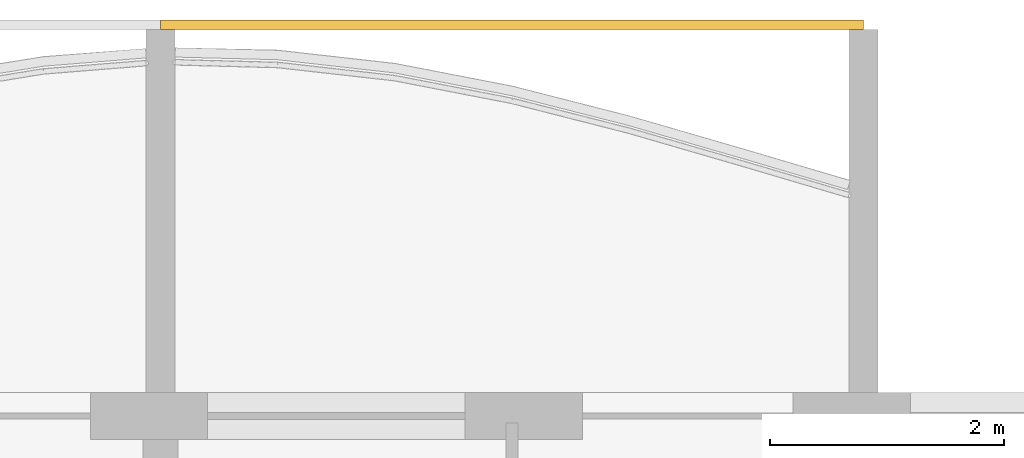
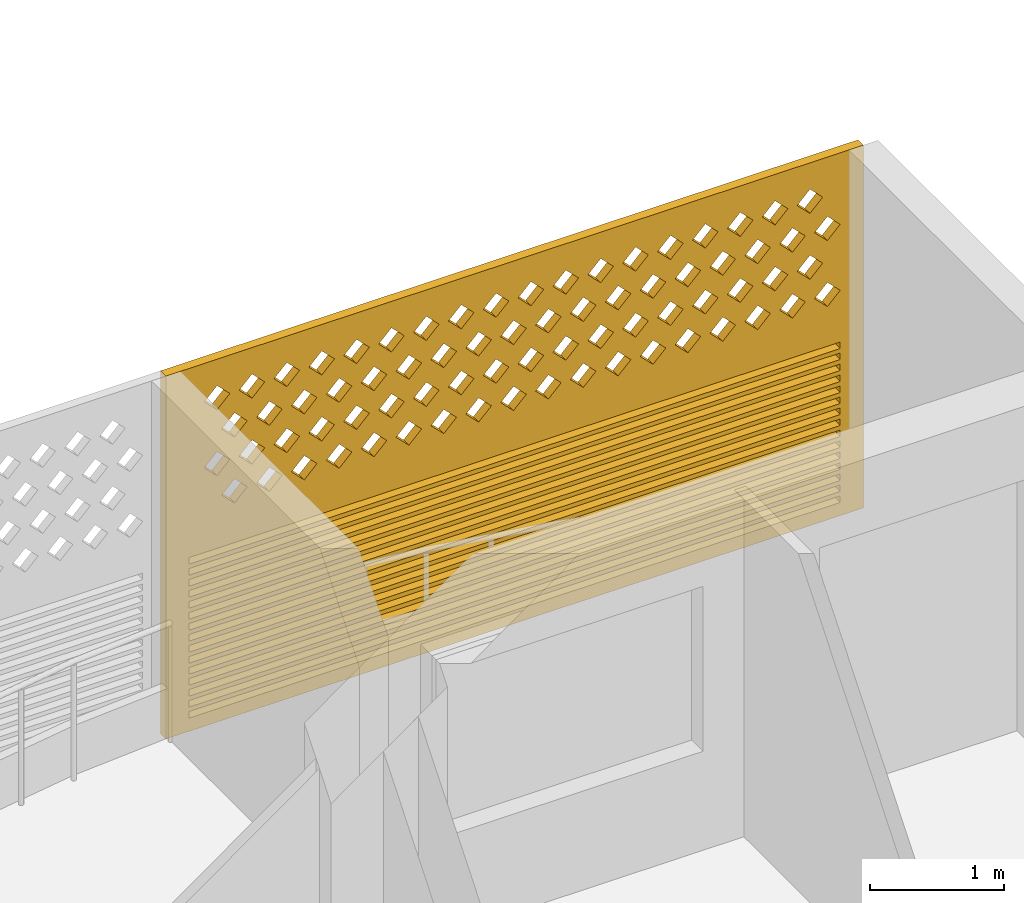
# One storey, part 24 of 32: 1 covering.
"""IFC4 building model written with IfcOpenShell, lengths in metres."""

from ifc_helpers import new_model, si_unit, direction, frame, origin, place, context, subcontext, project, spatial, polyline, outline, extrude, source, transform, mapped, material, material_profile, profile_set, type_object, element, save


model = new_model("IFC4")

# Units and contexts
model_context = context("Model", 3, precision=1e-05, world=origin(), true_north=direction((0.0, 1.0)))
body_context = subcontext(model_context, "Body", "Model", "MODEL_VIEW")
ifc_project = project(units=[si_unit("LENGTHUNIT", "METRE"), si_unit("AREAUNIT", "SQUARE_METRE"), si_unit("VOLUMEUNIT", "CUBIC_METRE"), si_unit("PLANEANGLEUNIT", "RADIAN"), si_unit("MASSUNIT", "GRAM", prefix="KILO")], contexts=[model_context])

# Site, building, storey
site_placement = place(None, origin())
site = spatial("IfcSite", under=ifc_project, at=site_placement, CompositionType="ELEMENT")
building_placement = place(site_placement, origin())
building = spatial("IfcBuilding", under=site, at=building_placement, Name="Poui Terraces", CompositionType="ELEMENT")
storey_placement = place(building_placement, frame((0.0, 0.0, 129.0)))
storey = spatial("IfcBuildingStorey", under=building, at=storey_placement, Name="L35", CompositionType="ELEMENT", Elevation=129.0)

# Covering
ifc_material = material(Name="Terracotta screen", Category="masonry")
ifc_material_profile = material_profile(ifc_material, outline(polyline([(-3.0, -1.64990234375), (3.0, -1.64990234375), (3.0, 1.64990234375), (-3.0, 1.64990234375), (-3.0, -1.64990234375)]), holes=[polyline([(-2.800048828125, 0.39990234375), (-2.68994140625, 0.2900390625), (-2.580078125, 0.39990234375), (-2.68994140625, 0.510009765625), (-2.800048828125, 0.39990234375)]), polyline([(-2.5, 0.39990234375), (-2.389892578125, 0.2900390625), (-2.280029296875, 0.39990234375), (-2.389892578125, 0.510009765625), (-2.5, 0.39990234375)]), polyline([(-2.199951171875, 0.39990234375), (-2.090087890625, 0.2900390625), (-1.97998046875, 0.39990234375), (-2.090087890625, 0.510009765625), (-2.199951171875, 0.39990234375)]), polyline([(-1.89990234375, 0.39990234375), (-1.7900390625, 0.2900390625), (-1.679931640625, 0.39990234375), (-1.7900390625, 0.510009765625), (-1.89990234375, 0.39990234375)]), polyline([(-1.60009765625, 0.39990234375), (-1.489990234375, 0.2900390625), (-1.3798828125, 0.39990234375), (-1.489990234375, 0.510009765625), (-1.60009765625, 0.39990234375)]), polyline([(-1.300048828125, 0.39990234375), (-1.18994140625, 0.2900390625), (-1.080078125, 0.39990234375), (-1.18994140625, 0.510009765625), (-1.300048828125, 0.39990234375)]), polyline([(-1.0, 0.39990234375), (-0.889892578125, 0.2900390625), (-0.780029296875, 0.39990234375), (-0.889892578125, 0.510009765625), (-1.0, 0.39990234375)]), polyline([(-0.699951171875, 0.39990234375), (-0.590087890625, 0.2900390625), (-0.47998046875, 0.39990234375), (-0.590087890625, 0.510009765625), (-0.699951171875, 0.39990234375)]), polyline([(-0.39990234375, 0.39990234375), (-0.2900390625, 0.2900390625), (-0.179931640625, 0.39990234375), (-0.2900390625, 0.510009765625), (-0.39990234375, 0.39990234375)]), polyline([(-0.10009765625, 0.39990234375), (0.010009765625, 0.2900390625), (0.1201171875, 0.39990234375), (0.010009765625, 0.510009765625), (-0.10009765625, 0.39990234375)]), polyline([(0.199951171875, 0.39990234375), (0.31005859375, 0.2900390625), (0.419921875, 0.39990234375), (0.31005859375, 0.510009765625), (0.199951171875, 0.39990234375)]), polyline([(0.5, 0.39990234375), (0.610107421875, 0.2900390625), (0.719970703125, 0.39990234375), (0.610107421875, 0.510009765625), (0.5, 0.39990234375)]), polyline([(0.800048828125, 0.39990234375), (0.909912109375, 0.2900390625), (1.02001953125, 0.39990234375), (0.909912109375, 0.510009765625), (0.800048828125, 0.39990234375)]), polyline([(1.10009765625, 0.39990234375), (1.2099609375, 0.2900390625), (1.320068359375, 0.39990234375), (1.2099609375, 0.510009765625), (1.10009765625, 0.39990234375)]), polyline([(1.39990234375, 0.39990234375), (1.510009765625, 0.2900390625), (1.6201171875, 0.39990234375), (1.510009765625, 0.510009765625), (1.39990234375, 0.39990234375)]), polyline([(1.699951171875, 0.39990234375), (1.81005859375, 0.2900390625), (1.919921875, 0.39990234375), (1.81005859375, 0.510009765625), (1.699951171875, 0.39990234375)]), polyline([(2.0, 0.39990234375), (2.110107421875, 0.2900390625), (2.219970703125, 0.39990234375), (2.110107421875, 0.510009765625), (2.0, 0.39990234375)]), polyline([(2.300048828125, 0.39990234375), (2.409912109375, 0.2900390625), (2.52001953125, 0.39990234375), (2.409912109375, 0.510009765625), (2.300048828125, 0.39990234375)]), polyline([(-2.64990234375, 0.699951171875), (-2.5400390625, 0.590087890625), (-2.429931640625, 0.699951171875), (-2.5400390625, 0.81005859375), (-2.64990234375, 0.699951171875)]), polyline([(-2.35009765625, 0.699951171875), (-2.239990234375, 0.590087890625), (-2.1298828125, 0.699951171875), (-2.239990234375, 0.81005859375), (-2.35009765625, 0.699951171875)]), polyline([(-2.050048828125, 0.699951171875), (-1.93994140625, 0.590087890625), (-1.830078125, 0.699951171875), (-1.93994140625, 0.81005859375), (-2.050048828125, 0.699951171875)]), polyline([(-1.75, 0.699951171875), (-1.639892578125, 0.590087890625), (-1.530029296875, 0.699951171875), (-1.639892578125, 0.81005859375), (-1.75, 0.699951171875)]), polyline([(-1.449951171875, 0.699951171875), (-1.340087890625, 0.590087890625), (-1.22998046875, 0.699951171875), (-1.340087890625, 0.81005859375), (-1.449951171875, 0.699951171875)]), polyline([(-1.14990234375, 0.699951171875), (-1.0400390625, 0.590087890625), (-0.929931640625, 0.699951171875), (-1.0400390625, 0.81005859375), (-1.14990234375, 0.699951171875)]), polyline([(-0.85009765625, 0.699951171875), (-0.739990234375, 0.590087890625), (-0.6298828125, 0.699951171875), (-0.739990234375, 0.81005859375), (-0.85009765625, 0.699951171875)]), polyline([(-0.550048828125, 0.699951171875), (-0.43994140625, 0.590087890625), (-0.330078125, 0.699951171875), (-0.43994140625, 0.81005859375), (-0.550048828125, 0.699951171875)]), polyline([(-0.25, 0.699951171875), (-0.139892578125, 0.590087890625), (-0.030029296875, 0.699951171875), (-0.139892578125, 0.81005859375), (-0.25, 0.699951171875)]), polyline([(0.050048828125, 0.699951171875), (0.159912109375, 0.590087890625), (0.27001953125, 0.699951171875), (0.159912109375, 0.81005859375), (0.050048828125, 0.699951171875)]), polyline([(0.35009765625, 0.699951171875), (0.4599609375, 0.590087890625), (0.570068359375, 0.699951171875), (0.4599609375, 0.81005859375), (0.35009765625, 0.699951171875)]), polyline([(0.64990234375, 0.699951171875), (0.760009765625, 0.590087890625), (0.8701171875, 0.699951171875), (0.760009765625, 0.81005859375), (0.64990234375, 0.699951171875)]), polyline([(0.949951171875, 0.699951171875), (1.06005859375, 0.590087890625), (1.169921875, 0.699951171875), (1.06005859375, 0.81005859375), (0.949951171875, 0.699951171875)]), polyline([(1.25, 0.699951171875), (1.360107421875, 0.590087890625), (1.469970703125, 0.699951171875), (1.360107421875, 0.81005859375), (1.25, 0.699951171875)]), polyline([(1.550048828125, 0.699951171875), (1.659912109375, 0.590087890625), (1.77001953125, 0.699951171875), (1.659912109375, 0.81005859375), (1.550048828125, 0.699951171875)]), polyline([(1.85009765625, 0.699951171875), (1.9599609375, 0.590087890625), (2.070068359375, 0.699951171875), (1.9599609375, 0.81005859375), (1.85009765625, 0.699951171875)]), polyline([(2.14990234375, 0.699951171875), (2.260009765625, 0.590087890625), (2.3701171875, 0.699951171875), (2.260009765625, 0.81005859375), (2.14990234375, 0.699951171875)]), polyline([(2.449951171875, 0.699951171875), (2.56005859375, 0.590087890625), (2.669921875, 0.699951171875), (2.56005859375, 0.81005859375), (2.449951171875, 0.699951171875)]), polyline([(-2.800048828125, 1.0), (-2.68994140625, 0.889892578125), (-2.580078125, 1.0), (-2.68994140625, 1.110107421875), (-2.800048828125, 1.0)]), polyline([(-2.5, 1.0), (-2.389892578125, 0.889892578125), (-2.280029296875, 1.0), (-2.389892578125, 1.110107421875), (-2.5, 1.0)]), polyline([(-2.199951171875, 1.0), (-2.090087890625, 0.889892578125), (-1.97998046875, 1.0), (-2.090087890625, 1.110107421875), (-2.199951171875, 1.0)]), polyline([(-1.89990234375, 1.0), (-1.7900390625, 0.889892578125), (-1.679931640625, 1.0), (-1.7900390625, 1.110107421875), (-1.89990234375, 1.0)]), polyline([(-1.60009765625, 1.0), (-1.489990234375, 0.889892578125), (-1.3798828125, 1.0), (-1.489990234375, 1.110107421875), (-1.60009765625, 1.0)]), polyline([(-1.300048828125, 1.0), (-1.18994140625, 0.889892578125), (-1.080078125, 1.0), (-1.18994140625, 1.110107421875), (-1.300048828125, 1.0)]), polyline([(-1.0, 1.0), (-0.889892578125, 0.889892578125), (-0.780029296875, 1.0), (-0.889892578125, 1.110107421875), (-1.0, 1.0)]), polyline([(-0.699951171875, 1.0), (-0.590087890625, 0.889892578125), (-0.47998046875, 1.0), (-0.590087890625, 1.110107421875), (-0.699951171875, 1.0)]), polyline([(-0.39990234375, 1.0), (-0.2900390625, 0.889892578125), (-0.179931640625, 1.0), (-0.2900390625, 1.110107421875), (-0.39990234375, 1.0)]), polyline([(-0.10009765625, 1.0), (0.010009765625, 0.889892578125), (0.1201171875, 1.0), (0.010009765625, 1.110107421875), (-0.10009765625, 1.0)]), polyline([(0.199951171875, 1.0), (0.31005859375, 0.889892578125), (0.419921875, 1.0), (0.31005859375, 1.110107421875), (0.199951171875, 1.0)]), polyline([(0.5, 1.0), (0.610107421875, 0.889892578125), (0.719970703125, 1.0), (0.610107421875, 1.110107421875), (0.5, 1.0)]), polyline([(0.800048828125, 1.0), (0.909912109375, 0.889892578125), (1.02001953125, 1.0), (0.909912109375, 1.110107421875), (0.800048828125, 1.0)]), polyline([(1.10009765625, 1.0), (1.2099609375, 0.889892578125), (1.320068359375, 1.0), (1.2099609375, 1.110107421875), (1.10009765625, 1.0)]), polyline([(1.39990234375, 1.0), (1.510009765625, 0.889892578125), (1.6201171875, 1.0), (1.510009765625, 1.110107421875), (1.39990234375, 1.0)]), polyline([(1.699951171875, 1.0), (1.81005859375, 0.889892578125), (1.919921875, 1.0), (1.81005859375, 1.110107421875), (1.699951171875, 1.0)]), polyline([(2.0, 1.0), (2.110107421875, 0.889892578125), (2.219970703125, 1.0), (2.110107421875, 1.110107421875), (2.0, 1.0)]), polyline([(2.300048828125, 1.0), (2.409912109375, 0.889892578125), (2.52001953125, 1.0), (2.409912109375, 1.110107421875), (2.300048828125, 1.0)]), polyline([(-2.64990234375, 1.300048828125), (-2.5400390625, 1.18994140625), (-2.429931640625, 1.300048828125), (-2.5400390625, 1.409912109375), (-2.64990234375, 1.300048828125)]), polyline([(-2.35009765625, 1.300048828125), (-2.239990234375, 1.18994140625), (-2.1298828125, 1.300048828125), (-2.239990234375, 1.409912109375), (-2.35009765625, 1.300048828125)]), polyline([(-2.050048828125, 1.300048828125), (-1.93994140625, 1.18994140625), (-1.830078125, 1.300048828125), (-1.93994140625, 1.409912109375), (-2.050048828125, 1.300048828125)]), polyline([(-1.75, 1.300048828125), (-1.639892578125, 1.18994140625), (-1.530029296875, 1.300048828125), (-1.639892578125, 1.409912109375), (-1.75, 1.300048828125)]), polyline([(-1.449951171875, 1.300048828125), (-1.340087890625, 1.18994140625), (-1.22998046875, 1.300048828125), (-1.340087890625, 1.409912109375), (-1.449951171875, 1.300048828125)]), polyline([(-1.14990234375, 1.300048828125), (-1.0400390625, 1.18994140625), (-0.929931640625, 1.300048828125), (-1.0400390625, 1.409912109375), (-1.14990234375, 1.300048828125)]), polyline([(-0.85009765625, 1.300048828125), (-0.739990234375, 1.18994140625), (-0.6298828125, 1.300048828125), (-0.739990234375, 1.409912109375), (-0.85009765625, 1.300048828125)]), polyline([(-0.550048828125, 1.300048828125), (-0.43994140625, 1.18994140625), (-0.330078125, 1.300048828125), (-0.43994140625, 1.409912109375), (-0.550048828125, 1.300048828125)]), polyline([(-0.25, 1.300048828125), (-0.139892578125, 1.18994140625), (-0.030029296875, 1.300048828125), (-0.139892578125, 1.409912109375), (-0.25, 1.300048828125)]), polyline([(0.050048828125, 1.300048828125), (0.159912109375, 1.18994140625), (0.27001953125, 1.300048828125), (0.159912109375, 1.409912109375), (0.050048828125, 1.300048828125)]), polyline([(0.35009765625, 1.300048828125), (0.4599609375, 1.18994140625), (0.570068359375, 1.300048828125), (0.4599609375, 1.409912109375), (0.35009765625, 1.300048828125)]), polyline([(0.64990234375, 1.300048828125), (0.760009765625, 1.18994140625), (0.8701171875, 1.300048828125), (0.760009765625, 1.409912109375), (0.64990234375, 1.300048828125)]), polyline([(0.949951171875, 1.300048828125), (1.06005859375, 1.18994140625), (1.169921875, 1.300048828125), (1.06005859375, 1.409912109375), (0.949951171875, 1.300048828125)]), polyline([(1.25, 1.300048828125), (1.360107421875, 1.18994140625), (1.469970703125, 1.300048828125), (1.360107421875, 1.409912109375), (1.25, 1.300048828125)]), polyline([(1.550048828125, 1.300048828125), (1.659912109375, 1.18994140625), (1.77001953125, 1.300048828125), (1.659912109375, 1.409912109375), (1.550048828125, 1.300048828125)]), polyline([(1.85009765625, 1.300048828125), (1.9599609375, 1.18994140625), (2.070068359375, 1.300048828125), (1.9599609375, 1.409912109375), (1.85009765625, 1.300048828125)]), polyline([(2.14990234375, 1.300048828125), (2.260009765625, 1.18994140625), (2.3701171875, 1.300048828125), (2.260009765625, 1.409912109375), (2.14990234375, 1.300048828125)]), polyline([(2.449951171875, 1.300048828125), (2.56005859375, 1.18994140625), (2.669921875, 1.300048828125), (2.56005859375, 1.409912109375), (2.449951171875, 1.300048828125)]), polyline([(-2.800048828125, -1.530029296875), (2.800048828125, -1.530029296875), (2.800048828125, -1.469970703125), (-2.800048828125, -1.469970703125), (-2.800048828125, -1.530029296875)]), polyline([(-2.800048828125, -1.429931640625), (2.800048828125, -1.429931640625), (2.800048828125, -1.3701171875), (-2.800048828125, -1.3701171875), (-2.800048828125, -1.429931640625)]), polyline([(-2.800048828125, -1.330078125), (2.800048828125, -1.330078125), (2.800048828125, -1.27001953125), (-2.800048828125, -1.27001953125), (-2.800048828125, -1.330078125)]), polyline([(-2.800048828125, -1.22998046875), (2.800048828125, -1.22998046875), (2.800048828125, -1.169921875), (-2.800048828125, -1.169921875), (-2.800048828125, -1.22998046875)]), polyline([(-2.800048828125, -1.1298828125), (2.800048828125, -1.1298828125), (2.800048828125, -1.070068359375), (-2.800048828125, -1.070068359375), (-2.800048828125, -1.1298828125)]), polyline([(-2.800048828125, -1.030029296875), (2.800048828125, -1.030029296875), (2.800048828125, -0.969970703125), (-2.800048828125, -0.969970703125), (-2.800048828125, -1.030029296875)]), polyline([(-2.800048828125, -0.929931640625), (2.800048828125, -0.929931640625), (2.800048828125, -0.8701171875), (-2.800048828125, -0.8701171875), (-2.800048828125, -0.929931640625)]), polyline([(-2.800048828125, -0.830078125), (2.800048828125, -0.830078125), (2.800048828125, -0.77001953125), (-2.800048828125, -0.77001953125), (-2.800048828125, -0.830078125)]), polyline([(-2.800048828125, -0.72998046875), (2.800048828125, -0.72998046875), (2.800048828125, -0.669921875), (-2.800048828125, -0.669921875), (-2.800048828125, -0.72998046875)]), polyline([(-2.800048828125, -0.6298828125), (2.800048828125, -0.6298828125), (2.800048828125, -0.570068359375), (-2.800048828125, -0.570068359375), (-2.800048828125, -0.6298828125)]), polyline([(-2.800048828125, -0.530029296875), (2.800048828125, -0.530029296875), (2.800048828125, -0.469970703125), (-2.800048828125, -0.469970703125), (-2.800048828125, -0.530029296875)]), polyline([(-2.800048828125, -0.429931640625), (2.800048828125, -0.429931640625), (2.800048828125, -0.3701171875), (-2.800048828125, -0.3701171875), (-2.800048828125, -0.429931640625)]), polyline([(-2.800048828125, -0.330078125), (2.800048828125, -0.330078125), (2.800048828125, -0.27001953125), (-2.800048828125, -0.27001953125), (-2.800048828125, -0.330078125)]), polyline([(-2.800048828125, -0.22998046875), (2.800048828125, -0.22998046875), (2.800048828125, -0.169921875), (-2.800048828125, -0.169921875), (-2.800048828125, -0.22998046875)]), polyline([(-2.800048828125, -0.1298828125), (2.800048828125, -0.1298828125), (2.800048828125, -0.070068359375), (-2.800048828125, -0.070068359375), (-2.800048828125, -0.1298828125)])]), Name="TERRACOTTA SCREEN AND JALOUSIE LOUVRE 6000X3300")
ifc_profile_set = profile_set([ifc_material_profile], Name="Terracotta screen")
covering_type = type_object("IfcCoveringType", Name="TERRACOTTA SCREEN AND JALOUSIE LOUVRE 6000X3300", PredefinedType="CLADDING", material=ifc_profile_set)
shared_shape = source(origin(), body_context, "Body", "SweptSolid", [
    extrude(outline(polyline([(-3.0, -1.64990234375), (3.0, -1.64990234375), (3.0, 1.64990234375), (-3.0, 1.64990234375), (-3.0, -1.64990234375)]), holes=[polyline([(-2.800048828125, 0.39990234375), (-2.68994140625, 0.2900390625), (-2.580078125, 0.39990234375), (-2.68994140625, 0.510009765625), (-2.800048828125, 0.39990234375)]), polyline([(-2.5, 0.39990234375), (-2.389892578125, 0.2900390625), (-2.280029296875, 0.39990234375), (-2.389892578125, 0.510009765625), (-2.5, 0.39990234375)]), polyline([(-2.199951171875, 0.39990234375), (-2.090087890625, 0.2900390625), (-1.97998046875, 0.39990234375), (-2.090087890625, 0.510009765625), (-2.199951171875, 0.39990234375)]), polyline([(-1.89990234375, 0.39990234375), (-1.7900390625, 0.2900390625), (-1.679931640625, 0.39990234375), (-1.7900390625, 0.510009765625), (-1.89990234375, 0.39990234375)]), polyline([(-1.60009765625, 0.39990234375), (-1.489990234375, 0.2900390625), (-1.3798828125, 0.39990234375), (-1.489990234375, 0.510009765625), (-1.60009765625, 0.39990234375)]), polyline([(-1.300048828125, 0.39990234375), (-1.18994140625, 0.2900390625), (-1.080078125, 0.39990234375), (-1.18994140625, 0.510009765625), (-1.300048828125, 0.39990234375)]), polyline([(-1.0, 0.39990234375), (-0.889892578125, 0.2900390625), (-0.780029296875, 0.39990234375), (-0.889892578125, 0.510009765625), (-1.0, 0.39990234375)]), polyline([(-0.699951171875, 0.39990234375), (-0.590087890625, 0.2900390625), (-0.47998046875, 0.39990234375), (-0.590087890625, 0.510009765625), (-0.699951171875, 0.39990234375)]), polyline([(-0.39990234375, 0.39990234375), (-0.2900390625, 0.2900390625), (-0.179931640625, 0.39990234375), (-0.2900390625, 0.510009765625), (-0.39990234375, 0.39990234375)]), polyline([(-0.10009765625, 0.39990234375), (0.010009765625, 0.2900390625), (0.1201171875, 0.39990234375), (0.010009765625, 0.510009765625), (-0.10009765625, 0.39990234375)]), polyline([(0.199951171875, 0.39990234375), (0.31005859375, 0.2900390625), (0.419921875, 0.39990234375), (0.31005859375, 0.510009765625), (0.199951171875, 0.39990234375)]), polyline([(0.5, 0.39990234375), (0.610107421875, 0.2900390625), (0.719970703125, 0.39990234375), (0.610107421875, 0.510009765625), (0.5, 0.39990234375)]), polyline([(0.800048828125, 0.39990234375), (0.909912109375, 0.2900390625), (1.02001953125, 0.39990234375), (0.909912109375, 0.510009765625), (0.800048828125, 0.39990234375)]), polyline([(1.10009765625, 0.39990234375), (1.2099609375, 0.2900390625), (1.320068359375, 0.39990234375), (1.2099609375, 0.510009765625), (1.10009765625, 0.39990234375)]), polyline([(1.39990234375, 0.39990234375), (1.510009765625, 0.2900390625), (1.6201171875, 0.39990234375), (1.510009765625, 0.510009765625), (1.39990234375, 0.39990234375)]), polyline([(1.699951171875, 0.39990234375), (1.81005859375, 0.2900390625), (1.919921875, 0.39990234375), (1.81005859375, 0.510009765625), (1.699951171875, 0.39990234375)]), polyline([(2.0, 0.39990234375), (2.110107421875, 0.2900390625), (2.219970703125, 0.39990234375), (2.110107421875, 0.510009765625), (2.0, 0.39990234375)]), polyline([(2.300048828125, 0.39990234375), (2.409912109375, 0.2900390625), (2.52001953125, 0.39990234375), (2.409912109375, 0.510009765625), (2.300048828125, 0.39990234375)]), polyline([(-2.64990234375, 0.699951171875), (-2.5400390625, 0.590087890625), (-2.429931640625, 0.699951171875), (-2.5400390625, 0.81005859375), (-2.64990234375, 0.699951171875)]), polyline([(-2.35009765625, 0.699951171875), (-2.239990234375, 0.590087890625), (-2.1298828125, 0.699951171875), (-2.239990234375, 0.81005859375), (-2.35009765625, 0.699951171875)]), polyline([(-2.050048828125, 0.699951171875), (-1.93994140625, 0.590087890625), (-1.830078125, 0.699951171875), (-1.93994140625, 0.81005859375), (-2.050048828125, 0.699951171875)]), polyline([(-1.75, 0.699951171875), (-1.639892578125, 0.590087890625), (-1.530029296875, 0.699951171875), (-1.639892578125, 0.81005859375), (-1.75, 0.699951171875)]), polyline([(-1.449951171875, 0.699951171875), (-1.340087890625, 0.590087890625), (-1.22998046875, 0.699951171875), (-1.340087890625, 0.81005859375), (-1.449951171875, 0.699951171875)]), polyline([(-1.14990234375, 0.699951171875), (-1.0400390625, 0.590087890625), (-0.929931640625, 0.699951171875), (-1.0400390625, 0.81005859375), (-1.14990234375, 0.699951171875)]), polyline([(-0.85009765625, 0.699951171875), (-0.739990234375, 0.590087890625), (-0.6298828125, 0.699951171875), (-0.739990234375, 0.81005859375), (-0.85009765625, 0.699951171875)]), polyline([(-0.550048828125, 0.699951171875), (-0.43994140625, 0.590087890625), (-0.330078125, 0.699951171875), (-0.43994140625, 0.81005859375), (-0.550048828125, 0.699951171875)]), polyline([(-0.25, 0.699951171875), (-0.139892578125, 0.590087890625), (-0.030029296875, 0.699951171875), (-0.139892578125, 0.81005859375), (-0.25, 0.699951171875)]), polyline([(0.050048828125, 0.699951171875), (0.159912109375, 0.590087890625), (0.27001953125, 0.699951171875), (0.159912109375, 0.81005859375), (0.050048828125, 0.699951171875)]), polyline([(0.35009765625, 0.699951171875), (0.4599609375, 0.590087890625), (0.570068359375, 0.699951171875), (0.4599609375, 0.81005859375), (0.35009765625, 0.699951171875)]), polyline([(0.64990234375, 0.699951171875), (0.760009765625, 0.590087890625), (0.8701171875, 0.699951171875), (0.760009765625, 0.81005859375), (0.64990234375, 0.699951171875)]), polyline([(0.949951171875, 0.699951171875), (1.06005859375, 0.590087890625), (1.169921875, 0.699951171875), (1.06005859375, 0.81005859375), (0.949951171875, 0.699951171875)]), polyline([(1.25, 0.699951171875), (1.360107421875, 0.590087890625), (1.469970703125, 0.699951171875), (1.360107421875, 0.81005859375), (1.25, 0.699951171875)]), polyline([(1.550048828125, 0.699951171875), (1.659912109375, 0.590087890625), (1.77001953125, 0.699951171875), (1.659912109375, 0.81005859375), (1.550048828125, 0.699951171875)]), polyline([(1.85009765625, 0.699951171875), (1.9599609375, 0.590087890625), (2.070068359375, 0.699951171875), (1.9599609375, 0.81005859375), (1.85009765625, 0.699951171875)]), polyline([(2.14990234375, 0.699951171875), (2.260009765625, 0.590087890625), (2.3701171875, 0.699951171875), (2.260009765625, 0.81005859375), (2.14990234375, 0.699951171875)]), polyline([(2.449951171875, 0.699951171875), (2.56005859375, 0.590087890625), (2.669921875, 0.699951171875), (2.56005859375, 0.81005859375), (2.449951171875, 0.699951171875)]), polyline([(-2.800048828125, 1.0), (-2.68994140625, 0.889892578125), (-2.580078125, 1.0), (-2.68994140625, 1.110107421875), (-2.800048828125, 1.0)]), polyline([(-2.5, 1.0), (-2.389892578125, 0.889892578125), (-2.280029296875, 1.0), (-2.389892578125, 1.110107421875), (-2.5, 1.0)]), polyline([(-2.199951171875, 1.0), (-2.090087890625, 0.889892578125), (-1.97998046875, 1.0), (-2.090087890625, 1.110107421875), (-2.199951171875, 1.0)]), polyline([(-1.89990234375, 1.0), (-1.7900390625, 0.889892578125), (-1.679931640625, 1.0), (-1.7900390625, 1.110107421875), (-1.89990234375, 1.0)]), polyline([(-1.60009765625, 1.0), (-1.489990234375, 0.889892578125), (-1.3798828125, 1.0), (-1.489990234375, 1.110107421875), (-1.60009765625, 1.0)]), polyline([(-1.300048828125, 1.0), (-1.18994140625, 0.889892578125), (-1.080078125, 1.0), (-1.18994140625, 1.110107421875), (-1.300048828125, 1.0)]), polyline([(-1.0, 1.0), (-0.889892578125, 0.889892578125), (-0.780029296875, 1.0), (-0.889892578125, 1.110107421875), (-1.0, 1.0)]), polyline([(-0.699951171875, 1.0), (-0.590087890625, 0.889892578125), (-0.47998046875, 1.0), (-0.590087890625, 1.110107421875), (-0.699951171875, 1.0)]), polyline([(-0.39990234375, 1.0), (-0.2900390625, 0.889892578125), (-0.179931640625, 1.0), (-0.2900390625, 1.110107421875), (-0.39990234375, 1.0)]), polyline([(-0.10009765625, 1.0), (0.010009765625, 0.889892578125), (0.1201171875, 1.0), (0.010009765625, 1.110107421875), (-0.10009765625, 1.0)]), polyline([(0.199951171875, 1.0), (0.31005859375, 0.889892578125), (0.419921875, 1.0), (0.31005859375, 1.110107421875), (0.199951171875, 1.0)]), polyline([(0.5, 1.0), (0.610107421875, 0.889892578125), (0.719970703125, 1.0), (0.610107421875, 1.110107421875), (0.5, 1.0)]), polyline([(0.800048828125, 1.0), (0.909912109375, 0.889892578125), (1.02001953125, 1.0), (0.909912109375, 1.110107421875), (0.800048828125, 1.0)]), polyline([(1.10009765625, 1.0), (1.2099609375, 0.889892578125), (1.320068359375, 1.0), (1.2099609375, 1.110107421875), (1.10009765625, 1.0)]), polyline([(1.39990234375, 1.0), (1.510009765625, 0.889892578125), (1.6201171875, 1.0), (1.510009765625, 1.110107421875), (1.39990234375, 1.0)]), polyline([(1.699951171875, 1.0), (1.81005859375, 0.889892578125), (1.919921875, 1.0), (1.81005859375, 1.110107421875), (1.699951171875, 1.0)]), polyline([(2.0, 1.0), (2.110107421875, 0.889892578125), (2.219970703125, 1.0), (2.110107421875, 1.110107421875), (2.0, 1.0)]), polyline([(2.300048828125, 1.0), (2.409912109375, 0.889892578125), (2.52001953125, 1.0), (2.409912109375, 1.110107421875), (2.300048828125, 1.0)]), polyline([(-2.64990234375, 1.300048828125), (-2.5400390625, 1.18994140625), (-2.429931640625, 1.300048828125), (-2.5400390625, 1.409912109375), (-2.64990234375, 1.300048828125)]), polyline([(-2.35009765625, 1.300048828125), (-2.239990234375, 1.18994140625), (-2.1298828125, 1.300048828125), (-2.239990234375, 1.409912109375), (-2.35009765625, 1.300048828125)]), polyline([(-2.050048828125, 1.300048828125), (-1.93994140625, 1.18994140625), (-1.830078125, 1.300048828125), (-1.93994140625, 1.409912109375), (-2.050048828125, 1.300048828125)]), polyline([(-1.75, 1.300048828125), (-1.639892578125, 1.18994140625), (-1.530029296875, 1.300048828125), (-1.639892578125, 1.409912109375), (-1.75, 1.300048828125)]), polyline([(-1.449951171875, 1.300048828125), (-1.340087890625, 1.18994140625), (-1.22998046875, 1.300048828125), (-1.340087890625, 1.409912109375), (-1.449951171875, 1.300048828125)]), polyline([(-1.14990234375, 1.300048828125), (-1.0400390625, 1.18994140625), (-0.929931640625, 1.300048828125), (-1.0400390625, 1.409912109375), (-1.14990234375, 1.300048828125)]), polyline([(-0.85009765625, 1.300048828125), (-0.739990234375, 1.18994140625), (-0.6298828125, 1.300048828125), (-0.739990234375, 1.409912109375), (-0.85009765625, 1.300048828125)]), polyline([(-0.550048828125, 1.300048828125), (-0.43994140625, 1.18994140625), (-0.330078125, 1.300048828125), (-0.43994140625, 1.409912109375), (-0.550048828125, 1.300048828125)]), polyline([(-0.25, 1.300048828125), (-0.139892578125, 1.18994140625), (-0.030029296875, 1.300048828125), (-0.139892578125, 1.409912109375), (-0.25, 1.300048828125)]), polyline([(0.050048828125, 1.300048828125), (0.159912109375, 1.18994140625), (0.27001953125, 1.300048828125), (0.159912109375, 1.409912109375), (0.050048828125, 1.300048828125)]), polyline([(0.35009765625, 1.300048828125), (0.4599609375, 1.18994140625), (0.570068359375, 1.300048828125), (0.4599609375, 1.409912109375), (0.35009765625, 1.300048828125)]), polyline([(0.64990234375, 1.300048828125), (0.760009765625, 1.18994140625), (0.8701171875, 1.300048828125), (0.760009765625, 1.409912109375), (0.64990234375, 1.300048828125)]), polyline([(0.949951171875, 1.300048828125), (1.06005859375, 1.18994140625), (1.169921875, 1.300048828125), (1.06005859375, 1.409912109375), (0.949951171875, 1.300048828125)]), polyline([(1.25, 1.300048828125), (1.360107421875, 1.18994140625), (1.469970703125, 1.300048828125), (1.360107421875, 1.409912109375), (1.25, 1.300048828125)]), polyline([(1.550048828125, 1.300048828125), (1.659912109375, 1.18994140625), (1.77001953125, 1.300048828125), (1.659912109375, 1.409912109375), (1.550048828125, 1.300048828125)]), polyline([(1.85009765625, 1.300048828125), (1.9599609375, 1.18994140625), (2.070068359375, 1.300048828125), (1.9599609375, 1.409912109375), (1.85009765625, 1.300048828125)]), polyline([(2.14990234375, 1.300048828125), (2.260009765625, 1.18994140625), (2.3701171875, 1.300048828125), (2.260009765625, 1.409912109375), (2.14990234375, 1.300048828125)]), polyline([(2.449951171875, 1.300048828125), (2.56005859375, 1.18994140625), (2.669921875, 1.300048828125), (2.56005859375, 1.409912109375), (2.449951171875, 1.300048828125)]), polyline([(-2.800048828125, -1.530029296875), (2.800048828125, -1.530029296875), (2.800048828125, -1.469970703125), (-2.800048828125, -1.469970703125), (-2.800048828125, -1.530029296875)]), polyline([(-2.800048828125, -1.429931640625), (2.800048828125, -1.429931640625), (2.800048828125, -1.3701171875), (-2.800048828125, -1.3701171875), (-2.800048828125, -1.429931640625)]), polyline([(-2.800048828125, -1.330078125), (2.800048828125, -1.330078125), (2.800048828125, -1.27001953125), (-2.800048828125, -1.27001953125), (-2.800048828125, -1.330078125)]), polyline([(-2.800048828125, -1.22998046875), (2.800048828125, -1.22998046875), (2.800048828125, -1.169921875), (-2.800048828125, -1.169921875), (-2.800048828125, -1.22998046875)]), polyline([(-2.800048828125, -1.1298828125), (2.800048828125, -1.1298828125), (2.800048828125, -1.070068359375), (-2.800048828125, -1.070068359375), (-2.800048828125, -1.1298828125)]), polyline([(-2.800048828125, -1.030029296875), (2.800048828125, -1.030029296875), (2.800048828125, -0.969970703125), (-2.800048828125, -0.969970703125), (-2.800048828125, -1.030029296875)]), polyline([(-2.800048828125, -0.929931640625), (2.800048828125, -0.929931640625), (2.800048828125, -0.8701171875), (-2.800048828125, -0.8701171875), (-2.800048828125, -0.929931640625)]), polyline([(-2.800048828125, -0.830078125), (2.800048828125, -0.830078125), (2.800048828125, -0.77001953125), (-2.800048828125, -0.77001953125), (-2.800048828125, -0.830078125)]), polyline([(-2.800048828125, -0.72998046875), (2.800048828125, -0.72998046875), (2.800048828125, -0.669921875), (-2.800048828125, -0.669921875), (-2.800048828125, -0.72998046875)]), polyline([(-2.800048828125, -0.6298828125), (2.800048828125, -0.6298828125), (2.800048828125, -0.570068359375), (-2.800048828125, -0.570068359375), (-2.800048828125, -0.6298828125)]), polyline([(-2.800048828125, -0.530029296875), (2.800048828125, -0.530029296875), (2.800048828125, -0.469970703125), (-2.800048828125, -0.469970703125), (-2.800048828125, -0.530029296875)]), polyline([(-2.800048828125, -0.429931640625), (2.800048828125, -0.429931640625), (2.800048828125, -0.3701171875), (-2.800048828125, -0.3701171875), (-2.800048828125, -0.429931640625)]), polyline([(-2.800048828125, -0.330078125), (2.800048828125, -0.330078125), (2.800048828125, -0.27001953125), (-2.800048828125, -0.27001953125), (-2.800048828125, -0.330078125)]), polyline([(-2.800048828125, -0.22998046875), (2.800048828125, -0.22998046875), (2.800048828125, -0.169921875), (-2.800048828125, -0.169921875), (-2.800048828125, -0.22998046875)]), polyline([(-2.800048828125, -0.1298828125), (2.800048828125, -0.1298828125), (2.800048828125, -0.070068359375), (-2.800048828125, -0.070068359375), (-2.800048828125, -0.1298828125)])]), origin(), (0.0, 0.0, 1.0), 0.080078125),
])
covering_placement = place(storey_placement, frame((39.0, 45.699951171875, 1.449951171875), z_axis=(0.0, 1.0, 0.0), x_axis=(-1.0, 0.0, 0.0)))
element("IfcCovering", 1, at=covering_placement, inside=storey, type_object=covering_type, Name="SOLAR SCREEN AND JALOUSIE LOUVRE", PredefinedType="CLADDING", context=body_context, shape_type="MappedRepresentation", body=[
    mapped(shared_shape, transform((0.0, 0.0, 0.0))),
])

save(model, "model.ifc")
